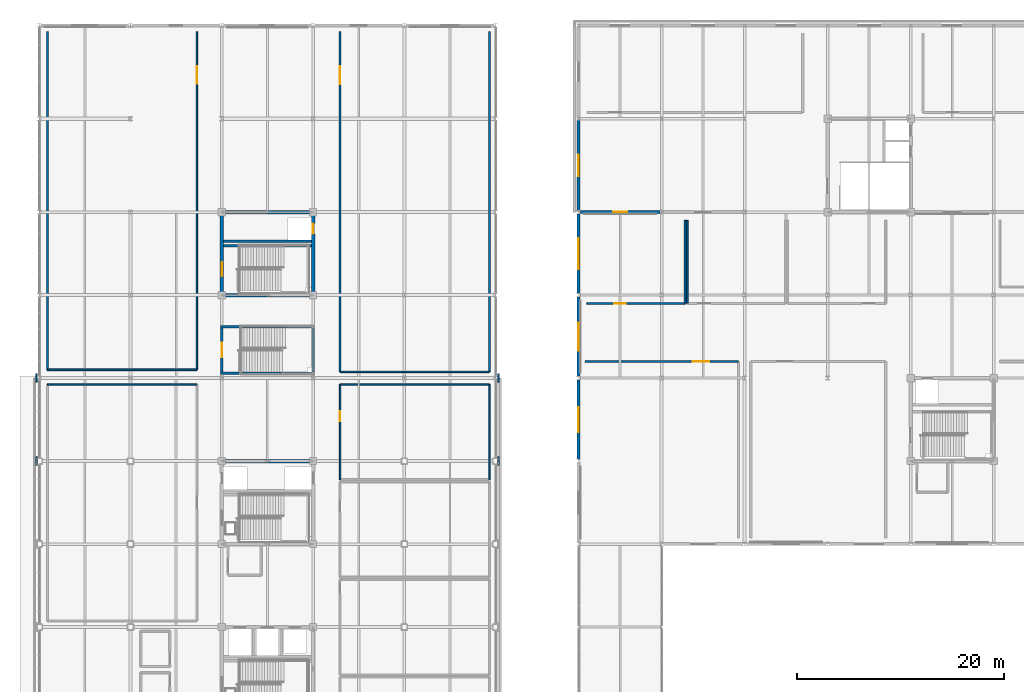
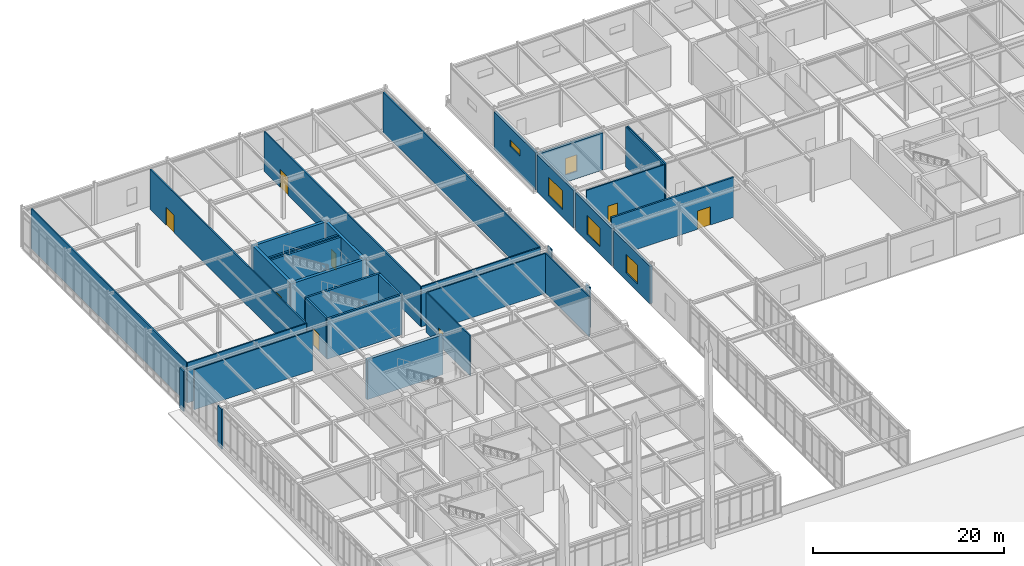
# One storey, part 90 of 108: 34 walls, 8 doors, 5 windows, 13 openings.
"""IFC4 building model written with IfcOpenShell, lengths in metres."""

from ifc_helpers import new_model, si_unit, direction, frame, frame_2d, origin, place, context, subcontext, project, spatial, rectangle, extrude, material, layer, layer_set, type_object, element, fill, save


model = new_model("IFC4")

# Units and contexts
model_context = context("Model", 3, precision=1e-05, world=origin(), true_north=direction((0.0, 1.0)))
body_context = subcontext(model_context, "Body", "Model", "MODEL_VIEW")
ifc_project = project(units=[si_unit("LENGTHUNIT", "METRE"), si_unit("AREAUNIT", "SQUARE_METRE"), si_unit("VOLUMEUNIT", "CUBIC_METRE"), si_unit("PLANEANGLEUNIT", "RADIAN"), si_unit("MASSUNIT", "GRAM", prefix="KILO")], contexts=[model_context])

# Site, building, storey
site_placement = place(None, origin())
site = spatial("IfcSite", under=ifc_project, at=site_placement, CompositionType="ELEMENT")
building_placement = place(site_placement, origin())
building = spatial("IfcBuilding", under=site, at=building_placement, Name="Zhaolan Boulevard Law Courts", CompositionType="ELEMENT")
storey_placement = place(building_placement, frame((0.0, 0.0, 10.800048828125)))
storey = spatial("IfcBuildingStorey", under=building, at=storey_placement, Name="L02", CompositionType="ELEMENT", Elevation=10.800048828125)

# Walls
ifc_material_1 = material(Name="Concrete C50", Category="concrete")
ifc_layer_1 = layer(ifc_material_1, 0.35009765625)
ifc_layer_set_1 = layer_set([ifc_layer_1])
wall_type_1 = type_object("IfcWallType", Name="CORE SHEAR WALL 350", PredefinedType="SHEAR", material=ifc_layer_set_1)
for number, where, z_axis, x_axis, name in (
    (1, (26.574951171875, 70.0, 0.0), (0.0, 0.0, 1.0), (-1.0, 0.0, 0.0), "Core Shear Wall CW-W2-L02N"),
    (2, (17.425048828125, 86.0, 0.0), (0.0, 0.0, 1.0), (1.0, 0.0, 0.0), "Core Shear Wall CW-L1-L02S"),
    (3, (26.574951171875, 94.0, 0.0), (0.0, 0.0, 1.0), (-1.0, 0.0, 0.0), "Core Shear Wall CW-L1-L02N"),
):
    element("IfcWall", number, at=place(storey_placement, frame(where, z_axis=z_axis, x_axis=x_axis)), inside=storey, type_object=wall_type_1, Name=name, PredefinedType="SHEAR", context=body_context, shape_type="SweptSolid", body=[
        extrude(rectangle(XDim=9.14990234375, YDim=0.35009765625, at=frame_2d((4.574951171875, 0.0))), origin(), (0.0, 0.0, 1.0), 5.119873046875),
    ])

# Wall, opening, door
wall_1_placement = place(storey_placement, frame((17.60009765625, 86.175048828125, 0.0), z_axis=(0.0, 0.0, 1.0), x_axis=(0.0, 1.0, 0.0)))
wall_1 = element("IfcWall", 4, at=wall_1_placement, inside=storey, type_object=wall_type_1, Name="Core Shear Wall CW-L1-L02W", PredefinedType="SHEAR", context=body_context, shape_type="SweptSolid", body=[
    extrude(rectangle(XDim=7.64990234375, YDim=0.35009765625, at=frame_2d((3.824951171875, 0.0))), origin(), (0.0, 0.0, 1.0), 5.119873046875),
])
opening_1_placement = place(wall_1_placement, frame((1.64990234375, 0.0, 0.0)))
opening_1 = element("IfcOpeningElement", 5, at=opening_1_placement, cuts=wall_1, Name="Opening SD-L02-40", PredefinedType="OPENING", context=body_context, shape_type="SweptSolid", body=[
    extrude(rectangle(XDim=1.35009765625, YDim=2.199951171875, at=frame_2d((0.675048828125, 1.10009765625))), frame((0.0, 0.18505859375, 0.0), z_axis=(0.0, -1.0, 0.0), x_axis=(1.0, 0.0, 0.0)), (0.0, 0.0, 1.0), 0.3701171875),
])
ifc_material_2 = material(Name="Fire-rated steel acoustic door", Category="steel")
door_type_1 = type_object("IfcDoorType", Name="STAIR FIRE 1350X2200 R", OperationType="SINGLE_SWING_RIGHT", PredefinedType="DOOR", material=ifc_material_2)
door_1_placement = place(opening_1_placement, origin())
door_1 = element("IfcDoor", 6, at=door_1_placement, inside=storey, type_object=door_type_1, Name="Smoke-Proof Stairwell Fire Door SD-L02-40", OperationType="SINGLE_SWING_RIGHT", OverallHeight=2.199951171875, OverallWidth=1.35009765625, PredefinedType="DOOR", context=body_context, shape_type="SweptSolid", body=[
    extrude(rectangle(XDim=1.35009765625, YDim=2.199951171875, at=frame_2d((0.675048828125, 1.10009765625))), frame((0.0, 0.02490234375, 0.0), z_axis=(0.0, -1.0, 0.0), x_axis=(1.0, 0.0, 0.0)), (0.0, 0.0, 1.0), 0.050048828125),
])
fill(opening_1, door_1)

wall_2_placement = place(storey_placement, frame((26.39990234375, 86.175048828125, 0.0), z_axis=(0.0, 0.0, 1.0), x_axis=(0.0, 1.0, 0.0)))
wall_2 = element("IfcWall", 7, at=wall_2_placement, inside=storey, type_object=wall_type_1, Name="Core Shear Wall CW-L1-L02E", PredefinedType="SHEAR", context=body_context, shape_type="SweptSolid", body=[
    extrude(rectangle(XDim=7.64990234375, YDim=0.35009765625, at=frame_2d((3.824951171875, 0.0))), origin(), (0.0, 0.0, 1.0), 5.119873046875),
])
opening_2_placement = place(wall_2_placement, frame((5.72509765625, 0.0, 0.0)))
opening_2 = element("IfcOpeningElement", 8, at=opening_2_placement, cuts=wall_2, Name="Opening LD-PL-04-L02", PredefinedType="OPENING", context=body_context, shape_type="SweptSolid", body=[
    extrude(rectangle(XDim=1.0, YDim=2.14990234375, at=frame_2d((0.5, 1.074951171875))), frame((0.0, 0.18505859375, 0.0), z_axis=(0.0, -1.0, 0.0), x_axis=(1.0, 0.0, 0.0)), (0.0, 0.0, 1.0), 0.3701171875),
])
ifc_material_3 = material(Name="Stainless steel sliding landing door", Category="steel")
door_type_2 = type_object("IfcDoorType", Name="LIFT LANDING 1000X2150", OperationType="DOUBLE_DOOR_SLIDING", PredefinedType="DOOR", material=ifc_material_3)
door_2_placement = place(opening_2_placement, origin())
door_2 = element("IfcDoor", 9, at=door_2_placement, inside=storey, type_object=door_type_2, Name="Lift Landing Sliding Door LD-PL-04-L02", OperationType="DOUBLE_DOOR_SLIDING", OverallHeight=2.14990234375, OverallWidth=1.0, PredefinedType="DOOR", context=body_context, shape_type="SweptSolid", body=[
    extrude(rectangle(XDim=1.0, YDim=2.14990234375, at=frame_2d((0.5, 1.074951171875))), frame((0.0, 0.02490234375, 0.0), z_axis=(0.0, -1.0, 0.0), x_axis=(1.0, 0.0, 0.0)), (0.0, 0.0, 1.0), 0.050048828125),
])
fill(opening_2, door_2)

# Walls
ifc_material_4 = material(Name="Concrete C40", Category="concrete")
ifc_layer_2 = layer(ifc_material_4, 0.139892578125)
ifc_layer_set_2 = layer_set([ifc_layer_2])
wall_type_2 = type_object("IfcWallType", Name="EXT WALL ARCH CLAD140", PredefinedType="SOLIDWALL", material=ifc_layer_set_2)
for number, where, z_axis, x_axis, name in (
    (10, (-0.280029296875, 69.580078125, 0.0), (0.0, 0.0, 1.0), (0.0, 1.0, 0.0), "Concrete Column Cloak Pier CPR-067"),
    (11, (44.280029296875, 69.580078125, 0.0), (0.0, 0.0, 1.0), (0.0, 1.0, 0.0), "Concrete Column Cloak Pier CPR-068"),
    (12, (-0.280029296875, 77.580078125, 0.0), (0.0, 0.0, 1.0), (0.0, 1.0, 0.0), "Concrete Column Cloak Pier CPR-069"),
    (13, (44.280029296875, 77.580078125, 0.0), (0.0, 0.0, 1.0), (0.0, 1.0, 0.0), "Concrete Column Cloak Pier CPR-070"),
):
    element("IfcWall", number, at=place(storey_placement, frame(where, z_axis=z_axis, x_axis=x_axis)), inside=storey, type_object=wall_type_2, Name=name, PredefinedType="SOLIDWALL", context=body_context, shape_type="SweptSolid", body=[
        extrude(rectangle(XDim=0.83984375, YDim=0.139892578125, at=frame_2d((0.419921875, 0.0))), origin(), (0.0, 0.0, 1.0), 5.139892578125),
    ])

# Wall, opening, window
ifc_material_5 = material(Name="Concrete C40", Category="concrete")
ifc_layer_3 = layer(ifc_material_5, 0.300048828125)
ifc_layer_set_3 = layer_set([ifc_layer_3])
wall_type_3 = type_object("IfcWallType", Name="EXT WALL CONCRETE300", PredefinedType="SOLIDWALL", material=ifc_layer_set_3)
wall_3_placement = place(storey_placement, frame((59.8291015625, 94.0, 0.0), z_axis=(0.0, 0.0, 1.0), x_axis=(-1.0, 0.0, 0.0)))
wall_3 = element("IfcWall", 14, at=wall_3_placement, inside=storey, type_object=wall_type_3, Name="Exterior Wall EW-L02-250", PredefinedType="SOLIDWALL", context=body_context, shape_type="SweptSolid", body=[
    extrude(rectangle(XDim=7.658203125, YDim=0.300048828125, at=frame_2d((3.8291015625, 0.0))), origin(), (0.0, 0.0, 1.0), 4.762939453125),
])
opening_3_placement = place(wall_3_placement, frame((3.154052734375, 0.0, 0.949951171875)))
opening_3 = element("IfcOpeningElement", 15, at=opening_3_placement, cuts=wall_3, Name="Opening WIN-L02-107", PredefinedType="OPENING", context=body_context, shape_type="SweptSolid", body=[
    extrude(rectangle(XDim=1.35009765625, YDim=2.10009765625, at=frame_2d((0.675048828125, 1.050048828125))), frame((0.0, 0.159912109375, 0.0), z_axis=(0.0, -1.0, 0.0), x_axis=(1.0, 0.0, 0.0)), (0.0, 0.0, 1.0), 0.320068359375),
])
ifc_material_6 = material(Name="Thermally broken aluminium and low-E glazing", Category="aluminium")
window_type_1 = type_object("IfcWindowType", Name="WINDOW 1350X2100", PartitioningType="SINGLE_PANEL", PredefinedType="WINDOW", material=ifc_material_6)
window_1_placement = place(opening_3_placement, origin())
window_1 = element("IfcWindow", 16, at=window_1_placement, inside=storey, type_object=window_type_1, Name="Exterior Window WIN-L02-107", OverallHeight=2.10009765625, OverallWidth=1.35009765625, PartitioningType="SINGLE_PANEL", PredefinedType="WINDOW", context=body_context, shape_type="SweptSolid", body=[
    extrude(rectangle(XDim=1.35009765625, YDim=2.10009765625, at=frame_2d((0.675048828125, 1.050048828125))), frame((0.0, 0.030029296875, 0.0), z_axis=(0.0, -1.0, 0.0), x_axis=(1.0, 0.0, 0.0)), (0.0, 0.0, 1.0), 0.06005859375),
])
fill(opening_3, window_1)

wall_4_placement = place(storey_placement, frame((52.0, 77.8291015625, 0.0), z_axis=(0.0, 0.0, 1.0), x_axis=(0.0, -1.0, 0.0)))
wall_4 = element("IfcWall", 17, at=wall_4_placement, inside=storey, type_object=wall_type_3, Name="Exterior Wall EW-L02-263", PredefinedType="SOLIDWALL", context=body_context, shape_type="SweptSolid", body=[
    extrude(rectangle(XDim=7.658203125, YDim=0.300048828125, at=frame_2d((3.8291015625, 0.0))), origin(), (0.0, 0.0, 1.0), 4.762939453125),
])
opening_4_placement = place(wall_4_placement, frame((2.62890625, 0.0, 0.949951171875)))
opening_4 = element("IfcOpeningElement", 18, at=opening_4_placement, cuts=wall_4, Name="Opening WIN-L02-120", PredefinedType="OPENING", context=body_context, shape_type="SweptSolid", body=[
    extrude(rectangle(XDim=2.39990234375, YDim=2.39990234375, at=frame_2d((1.199951171875, 1.199951171875))), frame((0.0, 0.159912109375, 0.0), z_axis=(0.0, -1.0, 0.0), x_axis=(1.0, 0.0, 0.0)), (0.0, 0.0, 1.0), 0.320068359375),
])
ifc_material_7 = material(Name="Thermally broken aluminium and low-E glazing", Category="aluminium")
window_type_2 = type_object("IfcWindowType", Name="WINDOW 2400X2400", PartitioningType="DOUBLE_PANEL_VERTICAL", PredefinedType="WINDOW", material=ifc_material_7)
window_2_placement = place(opening_4_placement, origin())
window_2 = element("IfcWindow", 19, at=window_2_placement, inside=storey, type_object=window_type_2, Name="Exterior Window WIN-L02-120", OverallHeight=2.39990234375, OverallWidth=2.39990234375, PartitioningType="SINGLE_PANEL", PredefinedType="WINDOW", context=body_context, shape_type="SweptSolid", body=[
    extrude(rectangle(XDim=2.39990234375, YDim=2.39990234375, at=frame_2d((1.199951171875, 1.199951171875))), frame((0.0, 0.030029296875, 0.0), z_axis=(0.0, -1.0, 0.0), x_axis=(1.0, 0.0, 0.0)), (0.0, 0.0, 1.0), 0.06005859375),
])
fill(opening_4, window_2)

wall_5_placement = place(storey_placement, frame((52.0, 85.8291015625, 0.0), z_axis=(0.0, 0.0, 1.0), x_axis=(0.0, -1.0, 0.0)))
wall_5 = element("IfcWall", 20, at=wall_5_placement, inside=storey, type_object=wall_type_3, Name="Exterior Wall EW-L02-264", PredefinedType="SOLIDWALL", context=body_context, shape_type="SweptSolid", body=[
    extrude(rectangle(XDim=7.658203125, YDim=0.300048828125, at=frame_2d((3.8291015625, 0.0))), origin(), (0.0, 0.0, 1.0), 4.762939453125),
])
opening_5_placement = place(wall_5_placement, frame((2.47900390625, 0.0, 0.949951171875)))
opening_5 = element("IfcOpeningElement", 21, at=opening_5_placement, cuts=wall_5, Name="Opening WIN-L02-121", PredefinedType="OPENING", context=body_context, shape_type="SweptSolid", body=[
    extrude(rectangle(XDim=2.699951171875, YDim=2.39990234375, at=frame_2d((1.35009765625, 1.199951171875))), frame((0.0, 0.159912109375, 0.0), z_axis=(0.0, -1.0, 0.0), x_axis=(1.0, 0.0, 0.0)), (0.0, 0.0, 1.0), 0.320068359375),
])
ifc_material_8 = material(Name="Thermally broken aluminium and low-E glazing", Category="aluminium")
window_type_3 = type_object("IfcWindowType", Name="WINDOW 2700X2400", PartitioningType="DOUBLE_PANEL_VERTICAL", PredefinedType="WINDOW", material=ifc_material_8)
window_3_placement = place(opening_5_placement, origin())
window_3 = element("IfcWindow", 22, at=window_3_placement, inside=storey, type_object=window_type_3, Name="Exterior Window WIN-L02-121", OverallHeight=2.39990234375, OverallWidth=2.699951171875, PartitioningType="SINGLE_PANEL", PredefinedType="WINDOW", context=body_context, shape_type="SweptSolid", body=[
    extrude(rectangle(XDim=2.699951171875, YDim=2.39990234375, at=frame_2d((1.35009765625, 1.199951171875))), frame((0.0, 0.030029296875, 0.0), z_axis=(0.0, -1.0, 0.0), x_axis=(1.0, 0.0, 0.0)), (0.0, 0.0, 1.0), 0.06005859375),
])
fill(opening_5, window_3)

wall_6_placement = place(storey_placement, frame((52.0, 93.8291015625, 0.0), z_axis=(0.0, 0.0, 1.0), x_axis=(0.0, -1.0, 0.0)))
wall_6 = element("IfcWall", 23, at=wall_6_placement, inside=storey, type_object=wall_type_3, Name="Exterior Wall EW-L02-265", PredefinedType="SOLIDWALL", context=body_context, shape_type="SweptSolid", body=[
    extrude(rectangle(XDim=7.658203125, YDim=0.300048828125, at=frame_2d((3.8291015625, 0.0))), origin(), (0.0, 0.0, 1.0), 4.762939453125),
])
opening_6_placement = place(wall_6_placement, frame((2.3291015625, 0.0, 0.949951171875)))
opening_6 = element("IfcOpeningElement", 24, at=opening_6_placement, cuts=wall_6, Name="Opening WIN-L02-122", PredefinedType="OPENING", context=body_context, shape_type="SweptSolid", body=[
    extrude(rectangle(XDim=3.0, YDim=2.39990234375, at=frame_2d((1.5, 1.199951171875))), frame((0.0, 0.159912109375, 0.0), z_axis=(0.0, -1.0, 0.0), x_axis=(1.0, 0.0, 0.0)), (0.0, 0.0, 1.0), 0.320068359375),
])
ifc_material_9 = material(Name="Thermally broken aluminium and low-E glazing", Category="aluminium")
window_type_4 = type_object("IfcWindowType", Name="WINDOW 3000X2400", PartitioningType="DOUBLE_PANEL_VERTICAL", PredefinedType="WINDOW", material=ifc_material_9)
window_4_placement = place(opening_6_placement, origin())
window_4 = element("IfcWindow", 25, at=window_4_placement, inside=storey, type_object=window_type_4, Name="Exterior Window WIN-L02-122", OverallHeight=2.39990234375, OverallWidth=3.0, PartitioningType="SINGLE_PANEL", PredefinedType="WINDOW", context=body_context, shape_type="SweptSolid", body=[
    extrude(rectangle(XDim=3.0, YDim=2.39990234375, at=frame_2d((1.5, 1.199951171875))), frame((0.0, 0.030029296875, 0.0), z_axis=(0.0, -1.0, 0.0), x_axis=(1.0, 0.0, 0.0)), (0.0, 0.0, 1.0), 0.06005859375),
])
fill(opening_6, window_4)

wall_7_placement = place(storey_placement, frame((52.0, 102.87890625, 0.0), z_axis=(0.0, 0.0, 1.0), x_axis=(0.0, -1.0, 0.0)))
wall_7 = element("IfcWall", 26, at=wall_7_placement, inside=storey, type_object=wall_type_3, Name="Exterior Wall EW-L02-335", PredefinedType="SOLIDWALL", context=body_context, shape_type="SweptSolid", body=[
    extrude(rectangle(XDim=8.7080078125, YDim=0.300048828125, at=frame_2d((4.35400390625, 0.0))), origin(), (0.0, 0.0, 1.0), 4.782958984375),
])
opening_7_placement = place(wall_7_placement, frame((3.3291015625, 0.0, 2.39990234375)))
opening_7 = element("IfcOpeningElement", 27, at=opening_7_placement, cuts=wall_7, Name="Opening WIN-L02-190", PredefinedType="OPENING", context=body_context, shape_type="SweptSolid", body=[
    extrude(rectangle(XDim=2.10009765625, YDim=0.85009765625, at=frame_2d((1.050048828125, 0.425048828125))), frame((0.0, 0.159912109375, 0.0), z_axis=(0.0, -1.0, 0.0), x_axis=(1.0, 0.0, 0.0)), (0.0, 0.0, 1.0), 0.320068359375),
])
ifc_material_10 = material(Name="Thermally broken aluminium and low-E glazing", Category="aluminium")
window_type_5 = type_object("IfcWindowType", Name="WINDOW 2100X850", PartitioningType="DOUBLE_PANEL_VERTICAL", PredefinedType="WINDOW", material=ifc_material_10)
window_5_placement = place(opening_7_placement, origin())
window_5 = element("IfcWindow", 28, at=window_5_placement, inside=storey, type_object=window_type_5, Name="Exterior Window WIN-L02-190", OverallHeight=0.85009765625, OverallWidth=2.10009765625, PartitioningType="SINGLE_PANEL", PredefinedType="WINDOW", context=body_context, shape_type="SweptSolid", body=[
    extrude(rectangle(XDim=2.10009765625, YDim=0.85009765625, at=frame_2d((1.050048828125, 0.425048828125))), frame((0.0, 0.030029296875, 0.0), z_axis=(0.0, -1.0, 0.0), x_axis=(1.0, 0.0, 0.0)), (0.0, 0.0, 1.0), 0.06005859375),
])
fill(opening_7, window_5)

# Wall
ifc_material_11 = material(Name="Concrete C50", Category="concrete")
ifc_layer_4 = layer(ifc_material_11, 0.239990234375)
ifc_layer_set_4 = layer_set([ifc_layer_4])
wall_type_4 = type_object("IfcWallType", Name="LIFT SHAFT WALL 240", PredefinedType="SHEAR", material=ifc_layer_set_4)
wall_8_placement = place(storey_placement, frame((17.77490234375, 91.179931640625, 0.0), z_axis=(0.0, 0.0, 1.0), x_axis=(1.0, 0.0, 0.0)))
element("IfcWall", 29, at=wall_8_placement, inside=storey, type_object=wall_type_4, Name="Lift Shaft Enclosure Wall L1 (L02)", PredefinedType="SHEAR", context=body_context, shape_type="SweptSolid", body=[
    extrude(rectangle(XDim=8.4501953125, YDim=0.239990234375, at=frame_2d((4.22509765625, 0.0))), origin(), (0.0, 0.0, 1.0), 5.119873046875),
])

# Wall, opening, door
ifc_material_12 = material(Name="Fire-rated gypsum stud partition")
ifc_layer_5 = layer(ifc_material_12, 0.159912109375)
ifc_layer_set_5 = layer_set([ifc_layer_5])
wall_type_5 = type_object("IfcWallType", Name="PART WALL CHAMB160", PredefinedType="PARTITIONING", material=ifc_layer_set_5)
wall_9_placement = place(storey_placement, frame((52.800048828125, 85.199951171875, 0.0), z_axis=(0.0, 0.0, 1.0), x_axis=(1.0, 0.0, 0.0)))
wall_9 = element("IfcWall", 30, at=wall_9_placement, inside=storey, type_object=wall_type_5, Name="Interior Partition PW-L02-463", PredefinedType="PARTITIONING", context=body_context, shape_type="SweptSolid", body=[
    extrude(rectangle(XDim=9.452880859375, YDim=0.159912109375, at=frame_2d((4.7265625, 0.0))), origin(), (0.0, 0.0, 1.0), 5.119873046875),
])
opening_8_placement = place(wall_9_placement, frame((2.611083984375, 0.0, 0.0)))
opening_8 = element("IfcOpeningElement", 31, at=opening_8_placement, cuts=wall_9, Name="Opening JR-L02-145", PredefinedType="OPENING", context=body_context, shape_type="SweptSolid", body=[
    extrude(rectangle(XDim=1.14990234375, YDim=2.199951171875, at=frame_2d((0.574951171875, 1.10009765625))), frame((0.0, 0.08984375, 0.0), z_axis=(0.0, -1.0, 0.0), x_axis=(1.0, 0.0, 0.0)), (0.0, 0.0, 1.0), 0.179931640625),
])
ifc_material_13 = material(Name="Solid-core acoustic oak veneer door")
door_type_3 = type_object("IfcDoorType", Name="JURY DOOR 1150X2200 L", OperationType="SINGLE_SWING_LEFT", PredefinedType="DOOR", material=ifc_material_13)
door_3_placement = place(opening_8_placement, origin())
door_3 = element("IfcDoor", 32, at=door_3_placement, inside=storey, type_object=door_type_3, Name="Door JR-L02-145 (Jury Room L02-01)", OperationType="SINGLE_SWING_LEFT", OverallHeight=2.199951171875, OverallWidth=1.14990234375, PredefinedType="DOOR", context=body_context, shape_type="SweptSolid", body=[
    extrude(rectangle(XDim=1.14990234375, YDim=2.199951171875, at=frame_2d((0.574951171875, 1.10009765625))), frame((0.0, 0.02490234375, 0.0), z_axis=(0.0, -1.0, 0.0), x_axis=(1.0, 0.0, 0.0)), (0.0, 0.0, 1.0), 0.050048828125),
])
fill(opening_8, door_3)

# Walls
for number, where, z_axis, x_axis, name in (
    (33, (62.2529296875, 85.199951171875, 0.0), (0.0, 0.0, 1.0), (0.0, 1.0, 0.0), "Interior Partition PW-L02-464"),
    (34, (62.472900390625, 93.199951171875, 0.0), (0.0, 0.0, 1.0), (0.0, -1.0, 0.0), "Interior Partition PW-L02-466"),
):
    element("IfcWall", number, at=place(storey_placement, frame(where, z_axis=z_axis, x_axis=x_axis)), inside=storey, type_object=wall_type_5, Name=name, PredefinedType="PARTITIONING", context=body_context, shape_type="SweptSolid", body=[
        extrude(rectangle(XDim=8.0, YDim=0.159912109375, at=frame_2d((4.0, 0.0))), origin(), (0.0, 0.0, 1.0), 5.119873046875),
    ])
wall_10_placement = place(storey_placement, frame((0.800048828125, 78.800048828125, 0.0), z_axis=(0.0, 0.0, 1.0), x_axis=(1.0, 0.0, 0.0)))
element("IfcWall", 35, at=wall_10_placement, inside=storey, type_object=wall_type_5, Name="Interior Partition PW-L02-483", PredefinedType="PARTITIONING", context=body_context, shape_type="SweptSolid", body=[
    extrude(rectangle(XDim=14.39990234375, YDim=0.159912109375, at=frame_2d((7.199951171875, 0.0))), origin(), (0.0, 0.0, 1.0), 5.119873046875),
])
wall_11_placement = place(storey_placement, frame((0.800048828125, 111.39990234375, 0.0), z_axis=(0.0, 0.0, 1.0), x_axis=(0.0, -1.0, 0.0)))
element("IfcWall", 36, at=wall_11_placement, inside=storey, type_object=wall_type_5, Name="Interior Partition PW-L02-484", PredefinedType="PARTITIONING", context=body_context, shape_type="SweptSolid", body=[
    extrude(rectangle(XDim=32.599853515625, YDim=0.159912109375, at=frame_2d((16.2998046875, 0.0))), origin(), (0.0, 0.0, 1.0), 5.119873046875),
])

# Wall, opening, door
wall_12_placement = place(storey_placement, frame((15.199951171875, 78.800048828125, 0.0), z_axis=(0.0, 0.0, 1.0), x_axis=(0.0, 1.0, 0.0)))
wall_12 = element("IfcWall", 37, at=wall_12_placement, inside=storey, type_object=wall_type_5, Name="Interior Partition PW-L02-485", PredefinedType="PARTITIONING", context=body_context, shape_type="SweptSolid", body=[
    extrude(rectangle(XDim=32.599853515625, YDim=0.159912109375, at=frame_2d((16.2998046875, 0.0))), origin(), (0.0, 0.0, 1.0), 5.119873046875),
])
opening_9_placement = place(wall_12_placement, frame((27.570068359375, 0.0, 0.0)))
opening_9 = element("IfcOpeningElement", 38, at=opening_9_placement, cuts=wall_12, Name="Opening ID-L02-152", PredefinedType="OPENING", context=body_context, shape_type="SweptSolid", body=[
    extrude(rectangle(XDim=1.699951171875, YDim=2.300048828125, at=frame_2d((0.85009765625, 1.14990234375))), frame((0.0, 0.08984375, 0.0), z_axis=(0.0, -1.0, 0.0), x_axis=(1.0, 0.0, 0.0)), (0.0, 0.0, 1.0), 0.179931640625),
])
ifc_material_14 = material(Name="Solid-core acoustic oak veneer door")
door_type_4 = type_object("IfcDoorType", Name="LIB DOUBLE 1700X2300", OperationType="DOUBLE_DOOR_SINGLE_SWING", PredefinedType="DOOR", material=ifc_material_14)
door_4_placement = place(opening_9_placement, origin())
door_4 = element("IfcDoor", 39, at=door_4_placement, inside=storey, type_object=door_type_4, Name="Door ID-L02-152 (Law Library Maritime Reading Room)", OperationType="DOUBLE_DOOR_SINGLE_SWING", OverallHeight=2.300048828125, OverallWidth=1.699951171875, PredefinedType="DOOR", context=body_context, shape_type="SweptSolid", body=[
    extrude(rectangle(XDim=1.699951171875, YDim=2.300048828125, at=frame_2d((0.85009765625, 1.14990234375))), frame((0.0, 0.02490234375, 0.0), z_axis=(0.0, -1.0, 0.0), x_axis=(1.0, 0.0, 0.0)), (0.0, 0.0, 1.0), 0.050048828125),
])
fill(opening_9, door_4)

# Wall
wall_13_placement = place(storey_placement, frame((29.0, 78.60009765625, 0.0), z_axis=(0.0, 0.0, 1.0), x_axis=(1.0, 0.0, 0.0)))
element("IfcWall", 40, at=wall_13_placement, inside=storey, type_object=wall_type_5, Name="Interior Partition PW-L02-486", PredefinedType="PARTITIONING", context=body_context, shape_type="SweptSolid", body=[
    extrude(rectangle(XDim=14.39990234375, YDim=0.159912109375, at=frame_2d((7.199951171875, 0.0))), origin(), (0.0, 0.0, 1.0), 5.119873046875),
])

# Wall, opening, door
wall_14_placement = place(storey_placement, frame((29.0, 111.39990234375, 0.0), z_axis=(0.0, 0.0, 1.0), x_axis=(0.0, -1.0, 0.0)))
wall_14 = element("IfcWall", 41, at=wall_14_placement, inside=storey, type_object=wall_type_5, Name="Interior Partition PW-L02-487", PredefinedType="PARTITIONING", context=body_context, shape_type="SweptSolid", body=[
    extrude(rectangle(XDim=32.7998046875, YDim=0.159912109375, at=frame_2d((16.39990234375, 0.0))), origin(), (0.0, 0.0, 1.0), 5.119873046875),
])
opening_10_placement = place(wall_14_placement, frame((3.35009765625, 0.0, 0.0)))
opening_10 = element("IfcOpeningElement", 42, at=opening_10_placement, cuts=wall_14, Name="Opening ID-L02-153", PredefinedType="OPENING", context=body_context, shape_type="SweptSolid", body=[
    extrude(rectangle(XDim=1.699951171875, YDim=2.300048828125, at=frame_2d((0.85009765625, 1.14990234375))), frame((0.0, 0.08984375, 0.0), z_axis=(0.0, -1.0, 0.0), x_axis=(1.0, 0.0, 0.0)), (0.0, 0.0, 1.0), 0.179931640625),
])
door_5_placement = place(opening_10_placement, origin())
door_5 = element("IfcDoor", 43, at=door_5_placement, inside=storey, type_object=door_type_4, Name="Door ID-L02-153 (Law Library Digital Research Hall)", OperationType="DOUBLE_DOOR_SINGLE_SWING", OverallHeight=2.300048828125, OverallWidth=1.699951171875, PredefinedType="DOOR", context=body_context, shape_type="SweptSolid", body=[
    extrude(rectangle(XDim=1.699951171875, YDim=2.300048828125, at=frame_2d((0.85009765625, 1.14990234375))), frame((0.0, 0.02490234375, 0.0), z_axis=(0.0, -1.0, 0.0), x_axis=(1.0, 0.0, 0.0)), (0.0, 0.0, 1.0), 0.050048828125),
])
fill(opening_10, door_5)

# Walls
wall_15_placement = place(storey_placement, frame((43.39990234375, 78.60009765625, 0.0), z_axis=(0.0, 0.0, 1.0), x_axis=(0.0, 1.0, 0.0)))
element("IfcWall", 44, at=wall_15_placement, inside=storey, type_object=wall_type_5, Name="Interior Partition PW-L02-488", PredefinedType="PARTITIONING", context=body_context, shape_type="SweptSolid", body=[
    extrude(rectangle(XDim=32.7998046875, YDim=0.159912109375, at=frame_2d((16.39990234375, 0.0))), origin(), (0.0, 0.0, 1.0), 5.119873046875),
])
wall_16_placement = place(storey_placement, frame((15.199951171875, 77.39990234375, 0.0), z_axis=(0.0, 0.0, 1.0), x_axis=(-1.0, 0.0, 0.0)))
element("IfcWall", 45, at=wall_16_placement, inside=storey, type_object=wall_type_5, Name="Interior Partition PW-L02-514", PredefinedType="PARTITIONING", context=body_context, shape_type="SweptSolid", body=[
    extrude(rectangle(XDim=14.39990234375, YDim=0.159912109375, at=frame_2d((7.199951171875, 0.0))), origin(), (0.0, 0.0, 1.0), 5.119873046875),
])

# Wall, opening, door
ifc_material_15 = material(Name="Concrete C40", Category="concrete")
ifc_layer_6 = layer(ifc_material_15, 0.219970703125)
ifc_layer_set_6 = layer_set([ifc_layer_6])
wall_type_6 = type_object("IfcWallType", Name="PART WALL COURT220", PredefinedType="PARTITIONING", material=ifc_layer_set_6)
wall_17_placement = place(storey_placement, frame((67.39990234375, 79.60009765625, 0.0), z_axis=(0.0, 0.0, 1.0), x_axis=(-1.0, 0.0, 0.0)))
wall_17 = element("IfcWall", 46, at=wall_17_placement, inside=storey, type_object=wall_type_6, Name="Interior Partition PW-L02-449", PredefinedType="PARTITIONING", context=body_context, shape_type="SweptSolid", body=[
    extrude(rectangle(XDim=14.7998046875, YDim=0.219970703125, at=frame_2d((7.39990234375, 0.0))), origin(), (0.0, 0.0, 1.0), 5.119873046875),
])
opening_11_placement = place(wall_17_placement, frame((2.820068359375, 0.0, 0.0)))
opening_11 = element("IfcOpeningElement", 47, at=opening_11_placement, cuts=wall_17, Name="Opening ID-L02-139", PredefinedType="OPENING", context=body_context, shape_type="SweptSolid", body=[
    extrude(rectangle(XDim=1.60009765625, YDim=2.35009765625, at=frame_2d((0.800048828125, 1.175048828125))), frame((0.0, 0.119873046875, 0.0), z_axis=(0.0, -1.0, 0.0), x_axis=(1.0, 0.0, 0.0)), (0.0, 0.0, 1.0), 0.239990234375),
])
ifc_material_16 = material(Name="Solid-core acoustic oak veneer door")
door_type_5 = type_object("IfcDoorType", Name="COURT DOUBLE 1600X2350", OperationType="DOUBLE_DOOR_SINGLE_SWING", PredefinedType="DOOR", material=ifc_material_16)
door_6_placement = place(opening_11_placement, origin())
door_6 = element("IfcDoor", 48, at=door_6_placement, inside=storey, type_object=door_type_5, Name="Door ID-L02-139 (Gabled Trial Courtroom 09)", OperationType="DOUBLE_DOOR_SINGLE_SWING", OverallHeight=2.35009765625, OverallWidth=1.60009765625, PredefinedType="DOOR", context=body_context, shape_type="SweptSolid", body=[
    extrude(rectangle(XDim=1.60009765625, YDim=2.35009765625, at=frame_2d((0.800048828125, 1.175048828125))), frame((0.0, 0.02490234375, 0.0), z_axis=(0.0, -1.0, 0.0), x_axis=(1.0, 0.0, 0.0)), (0.0, 0.0, 1.0), 0.050048828125),
])
fill(opening_11, door_6)

# Wall
ifc_material_17 = material(Name="Fire-rated gypsum stud partition")
ifc_layer_7 = layer(ifc_material_17, 0.139892578125)
ifc_layer_set_7 = layer_set([ifc_layer_7])
wall_type_7 = type_object("IfcWallType", Name="PART WALL OFFICE140", PredefinedType="PARTITIONING", material=ifc_layer_set_7)
wall_18_placement = place(storey_placement, frame((43.39990234375, 77.39990234375, 0.0), z_axis=(0.0, 0.0, 1.0), x_axis=(-1.0, 0.0, 0.0)))
element("IfcWall", 49, at=wall_18_placement, inside=storey, type_object=wall_type_7, Name="Interior Partition PW-L02-510", PredefinedType="PARTITIONING", context=body_context, shape_type="SweptSolid", body=[
    extrude(rectangle(XDim=14.39990234375, YDim=0.139892578125, at=frame_2d((7.199951171875, 0.0))), origin(), (0.0, 0.0, 1.0), 5.119873046875),
])

# Wall, opening, door
wall_19_placement = place(storey_placement, frame((29.0, 77.39990234375, 0.0), z_axis=(0.0, 0.0, 1.0), x_axis=(0.0, -1.0, 0.0)))
wall_19 = element("IfcWall", 50, at=wall_19_placement, inside=storey, type_object=wall_type_7, Name="Interior Partition PW-L02-511", PredefinedType="PARTITIONING", context=body_context, shape_type="SweptSolid", body=[
    extrude(rectangle(XDim=9.183837890625, YDim=0.139892578125, at=frame_2d((4.591796875, 0.0))), origin(), (0.0, 0.0, 1.0), 5.119873046875),
])
opening_12_placement = place(wall_19_placement, frame((2.5810546875, 0.0, 0.0)))
opening_12 = element("IfcOpeningElement", 51, at=opening_12_placement, cuts=wall_19, Name="Opening JD-L02-159", PredefinedType="OPENING", context=body_context, shape_type="SweptSolid", body=[
    extrude(rectangle(XDim=0.97998046875, YDim=2.14990234375, at=frame_2d((0.489990234375, 1.074951171875))), frame((0.0, 0.079833984375, 0.0), z_axis=(0.0, -1.0, 0.0), x_axis=(1.0, 0.0, 0.0)), (0.0, 0.0, 1.0), 0.159912109375),
])
ifc_material_18 = material(Name="Solid-core acoustic oak veneer door")
door_type_6 = type_object("IfcDoorType", Name="CHAMBER DOOR 980X2150 R", OperationType="SINGLE_SWING_RIGHT", PredefinedType="DOOR", material=ifc_material_18)
door_7_placement = place(opening_12_placement, origin())
door_7 = element("IfcDoor", 52, at=door_7_placement, inside=storey, type_object=door_type_6, Name="Door JD-L02-159 (Judges' Chambers L02-05)", OperationType="SINGLE_SWING_RIGHT", OverallHeight=2.14990234375, OverallWidth=0.97998046875, PredefinedType="DOOR", context=body_context, shape_type="SweptSolid", body=[
    extrude(rectangle(XDim=0.97998046875, YDim=2.14990234375, at=frame_2d((0.489990234375, 1.074951171875))), frame((0.0, 0.02490234375, 0.0), z_axis=(0.0, -1.0, 0.0), x_axis=(1.0, 0.0, 0.0)), (0.0, 0.0, 1.0), 0.050048828125),
])
fill(opening_12, door_7)

# Walls
wall_20_placement = place(storey_placement, frame((43.39990234375, 68.216064453125, 0.0), z_axis=(0.0, 0.0, 1.0), x_axis=(0.0, 1.0, 0.0)))
element("IfcWall", 53, at=wall_20_placement, inside=storey, type_object=wall_type_7, Name="Interior Partition PW-L02-512", PredefinedType="PARTITIONING", context=body_context, shape_type="SweptSolid", body=[
    extrude(rectangle(XDim=9.183837890625, YDim=0.139892578125, at=frame_2d((4.591796875, 0.0))), origin(), (0.0, 0.0, 1.0), 5.119873046875),
])
ifc_material_19 = material(Name="Concrete C50", Category="concrete")
ifc_layer_8 = layer(ifc_material_19, 0.239990234375)
ifc_layer_set_8 = layer_set([ifc_layer_8])
wall_type_8 = type_object("IfcWallType", Name="STAIR WELL WALL 240", PredefinedType="SHEAR", material=ifc_layer_set_8)
wall_21_placement = place(storey_placement, frame((17.77490234375, 90.75, 0.0), z_axis=(0.0, 0.0, 1.0), x_axis=(1.0, 0.0, 0.0)))
element("IfcWall", 54, at=wall_21_placement, inside=storey, type_object=wall_type_8, Name="Stairwell Divider Shear Wall ST10-L02N", PredefinedType="SHEAR", context=body_context, shape_type="SweptSolid", body=[
    extrude(rectangle(XDim=8.4501953125, YDim=0.239990234375, at=frame_2d((4.22509765625, 0.0))), origin(), (0.0, 0.0, 1.0), 5.119873046875),
])
for number, where, z_axis, x_axis, name in (
    (55, (17.47998046875, 78.449951171875, 0.0), (0.0, 0.0, 1.0), (1.0, 0.0, 0.0), "Stairwell Shear Wall ST12-L02S"),
    (56, (26.52001953125, 82.949951171875, 0.0), (0.0, 0.0, 1.0), (-1.0, 0.0, 0.0), "Stairwell Shear Wall ST12-L02N"),
):
    element("IfcWall", number, at=place(storey_placement, frame(where, z_axis=z_axis, x_axis=x_axis)), inside=storey, type_object=wall_type_8, Name=name, PredefinedType="SHEAR", context=body_context, shape_type="SweptSolid", body=[
        extrude(rectangle(XDim=9.0400390625, YDim=0.239990234375, at=frame_2d((4.52001953125, 0.0))), origin(), (0.0, 0.0, 1.0), 5.119873046875),
    ])

# Wall, opening, door
wall_22_placement = place(storey_placement, frame((17.60009765625, 78.570068359375, 0.0), z_axis=(0.0, 0.0, 1.0), x_axis=(0.0, 1.0, 0.0)))
wall_22 = element("IfcWall", 57, at=wall_22_placement, inside=storey, type_object=wall_type_8, Name="Stairwell Shear Wall ST12-L02W", PredefinedType="SHEAR", context=body_context, shape_type="SweptSolid", body=[
    extrude(rectangle(XDim=4.260009765625, YDim=0.239990234375, at=frame_2d((2.1298828125, 0.0))), origin(), (0.0, 0.0, 1.0), 5.119873046875),
])
opening_13_placement = place(wall_22_placement, frame((1.429931640625, 0.0, 0.0)))
opening_13 = element("IfcOpeningElement", 58, at=opening_13_placement, cuts=wall_22, Name="Opening SD-L02-61", PredefinedType="OPENING", context=body_context, shape_type="SweptSolid", body=[
    extrude(rectangle(XDim=1.39990234375, YDim=2.199951171875, at=frame_2d((0.699951171875, 1.10009765625))), frame((0.0, 0.1298828125, 0.0), z_axis=(0.0, -1.0, 0.0), x_axis=(1.0, 0.0, 0.0)), (0.0, 0.0, 1.0), 0.260009765625),
])
ifc_material_20 = material(Name="Fire-rated steel acoustic door", Category="steel")
door_type_7 = type_object("IfcDoorType", Name="STAIR FIRE 1400X2200 L", OperationType="SINGLE_SWING_LEFT", PredefinedType="DOOR", material=ifc_material_20)
door_8_placement = place(opening_13_placement, origin())
door_8 = element("IfcDoor", 59, at=door_8_placement, inside=storey, type_object=door_type_7, Name="Smoke-Proof Stairwell Fire Door SD-L02-61", OperationType="SINGLE_SWING_LEFT", OverallHeight=2.199951171875, OverallWidth=1.39990234375, PredefinedType="DOOR", context=body_context, shape_type="SweptSolid", body=[
    extrude(rectangle(XDim=1.39990234375, YDim=2.199951171875, at=frame_2d((0.699951171875, 1.10009765625))), frame((0.0, 0.02490234375, 0.0), z_axis=(0.0, -1.0, 0.0), x_axis=(1.0, 0.0, 0.0)), (0.0, 0.0, 1.0), 0.050048828125),
])
fill(opening_13, door_8)

# Wall
wall_23_placement = place(storey_placement, frame((26.39990234375, 78.570068359375, 0.0), z_axis=(0.0, 0.0, 1.0), x_axis=(0.0, 1.0, 0.0)))
element("IfcWall", 60, at=wall_23_placement, inside=storey, type_object=wall_type_8, Name="Stairwell Shear Wall ST12-L02E", PredefinedType="SHEAR", context=body_context, shape_type="SweptSolid", body=[
    extrude(rectangle(XDim=4.260009765625, YDim=0.239990234375, at=frame_2d((2.1298828125, 0.0))), origin(), (0.0, 0.0, 1.0), 5.119873046875),
])

save(model, "model.ifc")
